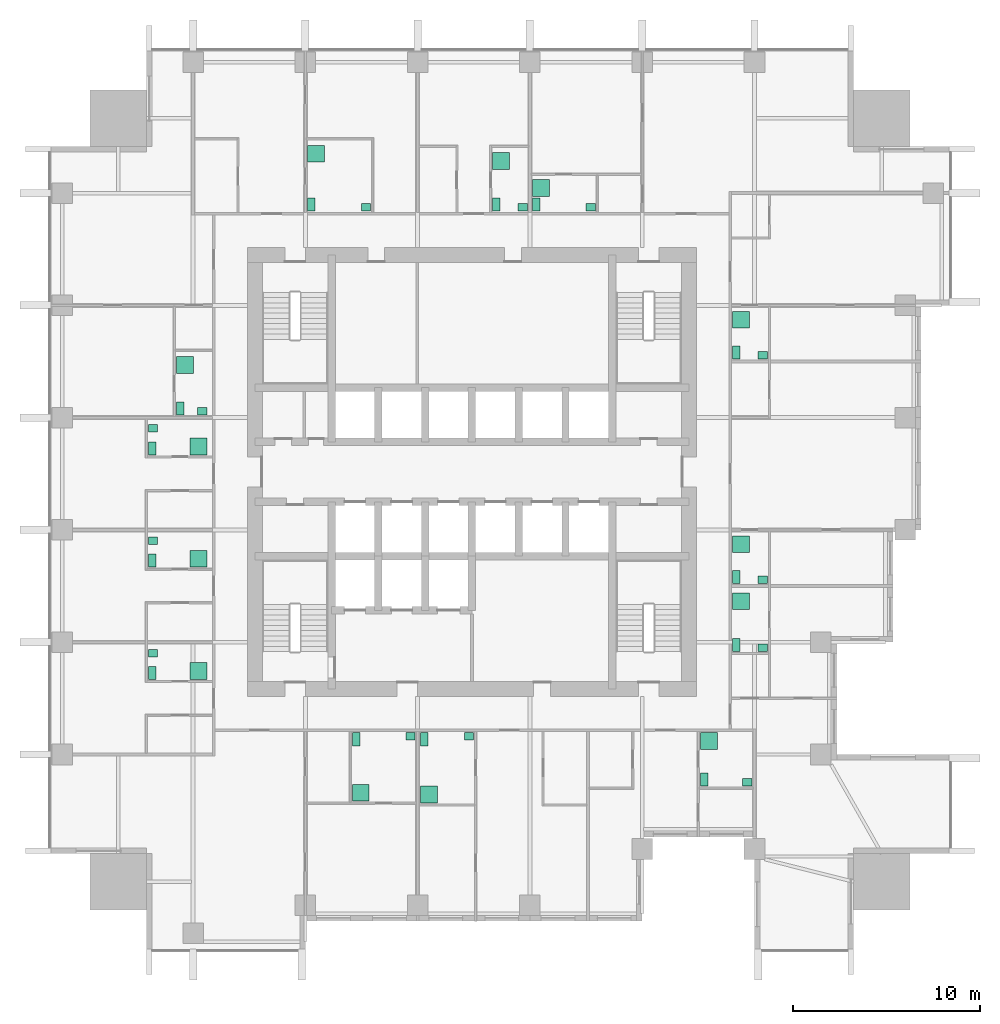
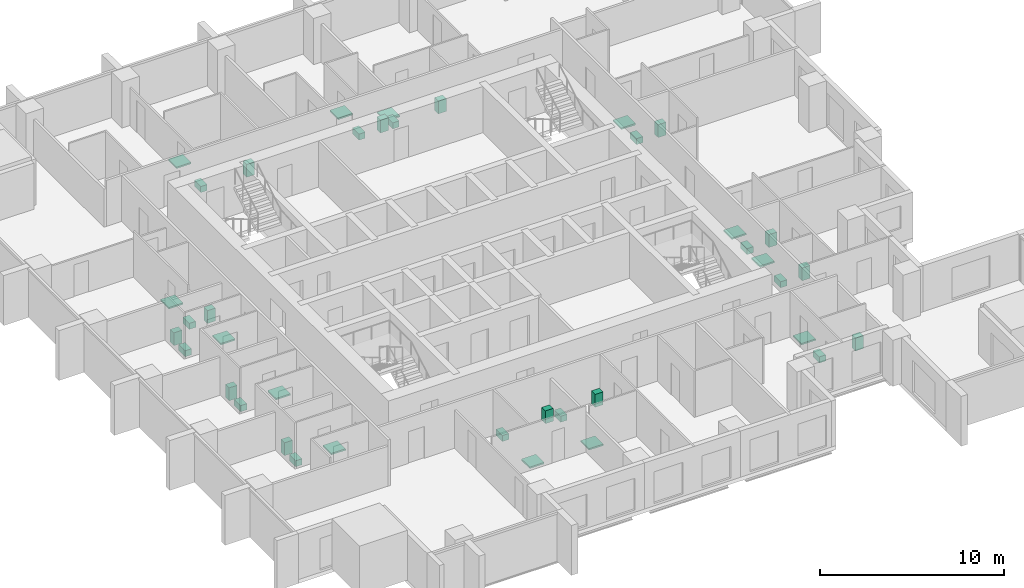
# One storey, part 10 of 10: 39 sanitary terminals.
"""IFC4 building model written with IfcOpenShell, lengths in metres."""

from ifc_helpers import new_model, si_unit, direction, frame, origin, origin_2d, place, context, subcontext, project, spatial, rectangle, extrude, element, save


model = new_model("IFC4")

# Units and contexts
model_context = context("Model", 3, precision=1e-05, world=origin(), true_north=direction((0.0, 1.0)))
body_context = subcontext(model_context, "Body", "Model", "MODEL_VIEW")
ifc_project = project(units=[si_unit("LENGTHUNIT", "METRE"), si_unit("AREAUNIT", "SQUARE_METRE"), si_unit("VOLUMEUNIT", "CUBIC_METRE"), si_unit("PLANEANGLEUNIT", "RADIAN"), si_unit("MASSUNIT", "GRAM", prefix="KILO")], contexts=[model_context])

# Site, building, storey
site_placement = place(None, origin())
site = spatial("IfcSite", under=ifc_project, at=site_placement, CompositionType="ELEMENT")
building_placement = place(site_placement, origin())
building = spatial("IfcBuilding", under=site, at=building_placement, Name="Amberfall Residences", CompositionType="ELEMENT")
storey_placement = place(building_placement, frame((0.0, 0.0, 101.800048828125)))
storey = spatial("IfcBuildingStorey", under=building, at=storey_placement, Name="L27", CompositionType="ELEMENT", Elevation=101.800048828125)

# Sanitary terminals
sanitary_terminal_1_placement = place(storey_placement, frame((68.31005859375, 31.215087890625, 0.0), z_axis=(0.0, 0.0, 1.0), x_axis=(1.0, 0.0, 0.0)))
element("IfcSanitaryTerminal", 1, at=sanitary_terminal_1_placement, inside=storey, Name="Water closet 2701", PredefinedType="TOILETPAN", context=body_context, shape_type="SweptSolid", body=[
    extrude(rectangle(XDim=0.39990234375, YDim=0.699951171875, at=origin_2d()), origin(), (0.0, 0.0, 1.0), 0.39990234375),
])
sanitary_terminal_2_placement = place(storey_placement, frame((71.215087890625, 31.364990234375, 0.0), z_axis=(0.0, 0.0, 1.0), x_axis=(1.0, 0.0, 0.0)))
element("IfcSanitaryTerminal", 2, at=sanitary_terminal_2_placement, inside=storey, Name="Basin 2701", PredefinedType="WASHHANDBASIN", context=body_context, shape_type="SweptSolid", body=[
    extrude(rectangle(XDim=0.5, YDim=0.39990234375, at=origin_2d()), origin(), (0.0, 0.0, 1.0), 0.85009765625),
])
sanitary_terminal_3_placement = place(storey_placement, frame((68.56005859375, 28.360107421875, 0.0), z_axis=(0.0, 0.0, 1.0), x_axis=(1.0, 0.0, 0.0)))
element("IfcSanitaryTerminal", 3, at=sanitary_terminal_3_placement, inside=storey, Name="Shower tray 2701", PredefinedType="SHOWER", context=body_context, shape_type="SweptSolid", body=[
    extrude(rectangle(XDim=0.89990234375, YDim=0.89990234375, at=origin_2d()), origin(), (0.0, 0.0, 1.0), 0.10009765625),
])
sanitary_terminal_4_placement = place(storey_placement, frame((71.9599609375, 31.215087890625, 0.0), z_axis=(0.0, 0.0, 1.0), x_axis=(1.0, 0.0, 0.0)))
element("IfcSanitaryTerminal", 4, at=sanitary_terminal_4_placement, inside=storey, Name="Water closet 2702", PredefinedType="TOILETPAN", context=body_context, shape_type="SweptSolid", body=[
    extrude(rectangle(XDim=0.39990234375, YDim=0.699951171875, at=origin_2d()), origin(), (0.0, 0.0, 1.0), 0.39990234375),
])
sanitary_terminal_5_placement = place(storey_placement, frame((74.340087890625, 31.364990234375, 0.0), z_axis=(0.0, 0.0, 1.0), x_axis=(1.0, 0.0, 0.0)))
element("IfcSanitaryTerminal", 5, at=sanitary_terminal_5_placement, inside=storey, Name="Basin 2702", PredefinedType="WASHHANDBASIN", context=body_context, shape_type="SweptSolid", body=[
    extrude(rectangle(XDim=0.5, YDim=0.39990234375, at=origin_2d()), origin(), (0.0, 0.0, 1.0), 0.85009765625),
])
sanitary_terminal_6_placement = place(storey_placement, frame((72.2099609375, 28.260009765625, 0.0), z_axis=(0.0, 0.0, 1.0), x_axis=(1.0, 0.0, 0.0)))
element("IfcSanitaryTerminal", 6, at=sanitary_terminal_6_placement, inside=storey, Name="Shower tray 2702", PredefinedType="SHOWER", context=body_context, shape_type="SweptSolid", body=[
    extrude(rectangle(XDim=0.89990234375, YDim=0.89990234375, at=origin_2d()), origin(), (0.0, 0.0, 1.0), 0.10009765625),
])
sanitary_terminal_7_placement = place(storey_placement, frame((86.909912109375, 29.06005859375, 0.0), z_axis=(0.0, 0.0, 1.0), x_axis=(1.0, 0.0, 0.0)))
element("IfcSanitaryTerminal", 7, at=sanitary_terminal_7_placement, inside=storey, Name="Water closet 2703", PredefinedType="TOILETPAN", context=body_context, shape_type="SweptSolid", body=[
    extrude(rectangle(XDim=0.39990234375, YDim=0.699951171875, at=origin_2d()), origin(), (0.0, 0.0, 1.0), 0.39990234375),
])
sanitary_terminal_8_placement = place(storey_placement, frame((89.215087890625, 28.909912109375, 0.0), z_axis=(0.0, 0.0, 1.0), x_axis=(1.0, 0.0, 0.0)))
element("IfcSanitaryTerminal", 8, at=sanitary_terminal_8_placement, inside=storey, Name="Basin 2703", PredefinedType="WASHHANDBASIN", context=body_context, shape_type="SweptSolid", body=[
    extrude(rectangle(XDim=0.5, YDim=0.39990234375, at=origin_2d()), origin(), (0.0, 0.0, 1.0), 0.85009765625),
])
sanitary_terminal_9_placement = place(storey_placement, frame((87.159912109375, 31.114990234375, 0.0), z_axis=(0.0, 0.0, 1.0), x_axis=(1.0, 0.0, 0.0)))
element("IfcSanitaryTerminal", 9, at=sanitary_terminal_9_placement, inside=storey, Name="Shower tray 2703", PredefinedType="SHOWER", context=body_context, shape_type="SweptSolid", body=[
    extrude(rectangle(XDim=0.89990234375, YDim=0.89990234375, at=origin_2d()), origin(), (0.0, 0.0, 1.0), 0.10009765625),
])
sanitary_terminal_10_placement = place(storey_placement, frame((88.635009765625, 36.260009765625, 0.0), z_axis=(0.0, 0.0, 1.0), x_axis=(1.0, 0.0, 0.0)))
element("IfcSanitaryTerminal", 10, at=sanitary_terminal_10_placement, inside=storey, Name="Water closet 2704", PredefinedType="TOILETPAN", context=body_context, shape_type="SweptSolid", body=[
    extrude(rectangle(XDim=0.39990234375, YDim=0.699951171875, at=origin_2d()), origin(), (0.0, 0.0, 1.0), 0.39990234375),
])
sanitary_terminal_11_placement = place(storey_placement, frame((90.0400390625, 36.110107421875, 0.0), z_axis=(0.0, 0.0, 1.0), x_axis=(1.0, 0.0, 0.0)))
element("IfcSanitaryTerminal", 11, at=sanitary_terminal_11_placement, inside=storey, Name="Basin 2704", PredefinedType="WASHHANDBASIN", context=body_context, shape_type="SweptSolid", body=[
    extrude(rectangle(XDim=0.5, YDim=0.39990234375, at=origin_2d()), origin(), (0.0, 0.0, 1.0), 0.85009765625),
])
sanitary_terminal_12_placement = place(storey_placement, frame((88.885009765625, 38.591796875, 0.0), z_axis=(0.0, 0.0, 1.0), x_axis=(1.0, 0.0, 0.0)))
element("IfcSanitaryTerminal", 12, at=sanitary_terminal_12_placement, inside=storey, Name="Shower tray 2704", PredefinedType="SHOWER", context=body_context, shape_type="SweptSolid", body=[
    extrude(rectangle(XDim=0.89990234375, YDim=0.89990234375, at=origin_2d()), origin(), (0.0, 0.0, 1.0), 0.10009765625),
])
sanitary_terminal_13_placement = place(storey_placement, frame((88.635009765625, 39.885009765625, 0.0), z_axis=(0.0, 0.0, 1.0), x_axis=(1.0, 0.0, 0.0)))
element("IfcSanitaryTerminal", 13, at=sanitary_terminal_13_placement, inside=storey, Name="Water closet 2705", PredefinedType="TOILETPAN", context=body_context, shape_type="SweptSolid", body=[
    extrude(rectangle(XDim=0.39990234375, YDim=0.699951171875, at=origin_2d()), origin(), (0.0, 0.0, 1.0), 0.39990234375),
])
sanitary_terminal_14_placement = place(storey_placement, frame((90.0400390625, 39.735107421875, 0.0), z_axis=(0.0, 0.0, 1.0), x_axis=(1.0, 0.0, 0.0)))
element("IfcSanitaryTerminal", 14, at=sanitary_terminal_14_placement, inside=storey, Name="Basin 2705", PredefinedType="WASHHANDBASIN", context=body_context, shape_type="SweptSolid", body=[
    extrude(rectangle(XDim=0.5, YDim=0.39990234375, at=origin_2d()), origin(), (0.0, 0.0, 1.0), 0.85009765625),
])
sanitary_terminal_15_placement = place(storey_placement, frame((88.885009765625, 41.6337890625, 0.0), z_axis=(0.0, 0.0, 1.0), x_axis=(1.0, 0.0, 0.0)))
element("IfcSanitaryTerminal", 15, at=sanitary_terminal_15_placement, inside=storey, Name="Shower tray 2705", PredefinedType="SHOWER", context=body_context, shape_type="SweptSolid", body=[
    extrude(rectangle(XDim=0.89990234375, YDim=0.89990234375, at=origin_2d()), origin(), (0.0, 0.0, 1.0), 0.10009765625),
])
sanitary_terminal_16_placement = place(storey_placement, frame((88.635009765625, 51.885009765625, 0.0), z_axis=(0.0, 0.0, 1.0), x_axis=(1.0, 0.0, 0.0)))
element("IfcSanitaryTerminal", 16, at=sanitary_terminal_16_placement, inside=storey, Name="Water closet 2706", PredefinedType="TOILETPAN", context=body_context, shape_type="SweptSolid", body=[
    extrude(rectangle(XDim=0.39990234375, YDim=0.699951171875, at=origin_2d()), origin(), (0.0, 0.0, 1.0), 0.39990234375),
])
sanitary_terminal_17_placement = place(storey_placement, frame((90.0400390625, 51.735107421875, 0.0), z_axis=(0.0, 0.0, 1.0), x_axis=(1.0, 0.0, 0.0)))
element("IfcSanitaryTerminal", 17, at=sanitary_terminal_17_placement, inside=storey, Name="Basin 2706", PredefinedType="WASHHANDBASIN", context=body_context, shape_type="SweptSolid", body=[
    extrude(rectangle(XDim=0.5, YDim=0.39990234375, at=origin_2d()), origin(), (0.0, 0.0, 1.0), 0.85009765625),
])
sanitary_terminal_18_placement = place(storey_placement, frame((88.885009765625, 53.6337890625, 0.0), z_axis=(0.0, 0.0, 1.0), x_axis=(1.0, 0.0, 0.0)))
element("IfcSanitaryTerminal", 18, at=sanitary_terminal_18_placement, inside=storey, Name="Shower tray 2706", PredefinedType="SHOWER", context=body_context, shape_type="SweptSolid", body=[
    extrude(rectangle(XDim=0.89990234375, YDim=0.89990234375, at=origin_2d()), origin(), (0.0, 0.0, 1.0), 0.10009765625),
])
sanitary_terminal_19_placement = place(storey_placement, frame((65.909912109375, 59.784912109375, 0.0), z_axis=(0.0, 0.0, 1.0), x_axis=(1.0, 0.0, 0.0)))
element("IfcSanitaryTerminal", 19, at=sanitary_terminal_19_placement, inside=storey, Name="Water closet 2707", PredefinedType="TOILETPAN", context=body_context, shape_type="SweptSolid", body=[
    extrude(rectangle(XDim=0.39990234375, YDim=0.699951171875, at=origin_2d()), origin(), (0.0, 0.0, 1.0), 0.39990234375),
])
sanitary_terminal_20_placement = place(storey_placement, frame((68.840087890625, 59.635009765625, 0.0), z_axis=(0.0, 0.0, 1.0), x_axis=(1.0, 0.0, 0.0)))
element("IfcSanitaryTerminal", 20, at=sanitary_terminal_20_placement, inside=storey, Name="Basin 2707", PredefinedType="WASHHANDBASIN", context=body_context, shape_type="SweptSolid", body=[
    extrude(rectangle(XDim=0.5, YDim=0.39990234375, at=origin_2d()), origin(), (0.0, 0.0, 1.0), 0.85009765625),
])
sanitary_terminal_21_placement = place(storey_placement, frame((66.159912109375, 62.502197265625, 0.0), z_axis=(0.0, 0.0, 1.0), x_axis=(1.0, 0.0, 0.0)))
element("IfcSanitaryTerminal", 21, at=sanitary_terminal_21_placement, inside=storey, Name="Shower tray 2707", PredefinedType="SHOWER", context=body_context, shape_type="SweptSolid", body=[
    extrude(rectangle(XDim=0.89990234375, YDim=0.89990234375, at=origin_2d()), origin(), (0.0, 0.0, 1.0), 0.10009765625),
])
sanitary_terminal_22_placement = place(storey_placement, frame((75.81005859375, 59.784912109375, 0.0), z_axis=(0.0, 0.0, 1.0), x_axis=(1.0, 0.0, 0.0)))
element("IfcSanitaryTerminal", 22, at=sanitary_terminal_22_placement, inside=storey, Name="Water closet 2708", PredefinedType="TOILETPAN", context=body_context, shape_type="SweptSolid", body=[
    extrude(rectangle(XDim=0.39990234375, YDim=0.699951171875, at=origin_2d()), origin(), (0.0, 0.0, 1.0), 0.39990234375),
])
sanitary_terminal_23_placement = place(storey_placement, frame((77.215087890625, 59.635009765625, 0.0), z_axis=(0.0, 0.0, 1.0), x_axis=(1.0, 0.0, 0.0)))
element("IfcSanitaryTerminal", 23, at=sanitary_terminal_23_placement, inside=storey, Name="Basin 2708", PredefinedType="WASHHANDBASIN", context=body_context, shape_type="SweptSolid", body=[
    extrude(rectangle(XDim=0.5, YDim=0.39990234375, at=origin_2d()), origin(), (0.0, 0.0, 1.0), 0.85009765625),
])
sanitary_terminal_24_placement = place(storey_placement, frame((76.06005859375, 62.11669921875, 0.0), z_axis=(0.0, 0.0, 1.0), x_axis=(1.0, 0.0, 0.0)))
element("IfcSanitaryTerminal", 24, at=sanitary_terminal_24_placement, inside=storey, Name="Shower tray 2708", PredefinedType="SHOWER", context=body_context, shape_type="SweptSolid", body=[
    extrude(rectangle(XDim=0.89990234375, YDim=0.89990234375, at=origin_2d()), origin(), (0.0, 0.0, 1.0), 0.10009765625),
])
sanitary_terminal_25_placement = place(storey_placement, frame((77.93505859375, 59.784912109375, 0.0), z_axis=(0.0, 0.0, 1.0), x_axis=(1.0, 0.0, 0.0)))
element("IfcSanitaryTerminal", 25, at=sanitary_terminal_25_placement, inside=storey, Name="Water closet 2709", PredefinedType="TOILETPAN", context=body_context, shape_type="SweptSolid", body=[
    extrude(rectangle(XDim=0.39990234375, YDim=0.699951171875, at=origin_2d()), origin(), (0.0, 0.0, 1.0), 0.39990234375),
])
sanitary_terminal_26_placement = place(storey_placement, frame((80.840087890625, 59.635009765625, 0.0), z_axis=(0.0, 0.0, 1.0), x_axis=(1.0, 0.0, 0.0)))
element("IfcSanitaryTerminal", 26, at=sanitary_terminal_26_placement, inside=storey, Name="Basin 2709", PredefinedType="WASHHANDBASIN", context=body_context, shape_type="SweptSolid", body=[
    extrude(rectangle(XDim=0.5, YDim=0.39990234375, at=origin_2d()), origin(), (0.0, 0.0, 1.0), 0.85009765625),
])
sanitary_terminal_27_placement = place(storey_placement, frame((78.18505859375, 60.680908203125, 0.0), z_axis=(0.0, 0.0, 1.0), x_axis=(1.0, 0.0, 0.0)))
element("IfcSanitaryTerminal", 27, at=sanitary_terminal_27_placement, inside=storey, Name="Shower tray 2709", PredefinedType="SHOWER", context=body_context, shape_type="SweptSolid", body=[
    extrude(rectangle(XDim=0.89990234375, YDim=0.89990234375, at=origin_2d()), origin(), (0.0, 0.0, 1.0), 0.10009765625),
])
sanitary_terminal_28_placement = place(storey_placement, frame((57.409912109375, 34.760009765625, 0.0), z_axis=(0.0, 0.0, 1.0), x_axis=(1.0, 0.0, 0.0)))
element("IfcSanitaryTerminal", 28, at=sanitary_terminal_28_placement, inside=storey, Name="Water closet 2710", PredefinedType="TOILETPAN", context=body_context, shape_type="SweptSolid", body=[
    extrude(rectangle(XDim=0.39990234375, YDim=0.699951171875, at=origin_2d()), origin(), (0.0, 0.0, 1.0), 0.39990234375),
])
sanitary_terminal_29_placement = place(storey_placement, frame((57.4599609375, 35.822509765625, 0.0), z_axis=(0.0, 0.0, 1.0), x_axis=(1.0, 0.0, 0.0)))
element("IfcSanitaryTerminal", 29, at=sanitary_terminal_29_placement, inside=storey, Name="Basin 2710", PredefinedType="WASHHANDBASIN", context=body_context, shape_type="SweptSolid", body=[
    extrude(rectangle(XDim=0.5, YDim=0.39990234375, at=origin_2d()), origin(), (0.0, 0.0, 1.0), 0.85009765625),
])
sanitary_terminal_30_placement = place(storey_placement, frame((59.891845703125, 34.860107421875, 0.0), z_axis=(0.0, 0.0, 1.0), x_axis=(1.0, 0.0, 0.0)))
element("IfcSanitaryTerminal", 30, at=sanitary_terminal_30_placement, inside=storey, Name="Shower tray 2710", PredefinedType="SHOWER", context=body_context, shape_type="SweptSolid", body=[
    extrude(rectangle(XDim=0.89990234375, YDim=0.89990234375, at=origin_2d()), origin(), (0.0, 0.0, 1.0), 0.10009765625),
])
sanitary_terminal_31_placement = place(storey_placement, frame((57.409912109375, 40.760009765625, 0.0), z_axis=(0.0, 0.0, 1.0), x_axis=(1.0, 0.0, 0.0)))
element("IfcSanitaryTerminal", 31, at=sanitary_terminal_31_placement, inside=storey, Name="Water closet 2711", PredefinedType="TOILETPAN", context=body_context, shape_type="SweptSolid", body=[
    extrude(rectangle(XDim=0.39990234375, YDim=0.699951171875, at=origin_2d()), origin(), (0.0, 0.0, 1.0), 0.39990234375),
])
sanitary_terminal_32_placement = place(storey_placement, frame((57.4599609375, 41.822509765625, 0.0), z_axis=(0.0, 0.0, 1.0), x_axis=(1.0, 0.0, 0.0)))
element("IfcSanitaryTerminal", 32, at=sanitary_terminal_32_placement, inside=storey, Name="Basin 2711", PredefinedType="WASHHANDBASIN", context=body_context, shape_type="SweptSolid", body=[
    extrude(rectangle(XDim=0.5, YDim=0.39990234375, at=origin_2d()), origin(), (0.0, 0.0, 1.0), 0.85009765625),
])
sanitary_terminal_33_placement = place(storey_placement, frame((59.891845703125, 40.860107421875, 0.0), z_axis=(0.0, 0.0, 1.0), x_axis=(1.0, 0.0, 0.0)))
element("IfcSanitaryTerminal", 33, at=sanitary_terminal_33_placement, inside=storey, Name="Shower tray 2711", PredefinedType="SHOWER", context=body_context, shape_type="SweptSolid", body=[
    extrude(rectangle(XDim=0.89990234375, YDim=0.89990234375, at=origin_2d()), origin(), (0.0, 0.0, 1.0), 0.10009765625),
])
sanitary_terminal_34_placement = place(storey_placement, frame((57.409912109375, 46.760009765625, 0.0), z_axis=(0.0, 0.0, 1.0), x_axis=(1.0, 0.0, 0.0)))
element("IfcSanitaryTerminal", 34, at=sanitary_terminal_34_placement, inside=storey, Name="Water closet 2712", PredefinedType="TOILETPAN", context=body_context, shape_type="SweptSolid", body=[
    extrude(rectangle(XDim=0.39990234375, YDim=0.699951171875, at=origin_2d()), origin(), (0.0, 0.0, 1.0), 0.39990234375),
])
sanitary_terminal_35_placement = place(storey_placement, frame((57.4599609375, 47.822509765625, 0.0), z_axis=(0.0, 0.0, 1.0), x_axis=(1.0, 0.0, 0.0)))
element("IfcSanitaryTerminal", 35, at=sanitary_terminal_35_placement, inside=storey, Name="Basin 2712", PredefinedType="WASHHANDBASIN", context=body_context, shape_type="SweptSolid", body=[
    extrude(rectangle(XDim=0.5, YDim=0.39990234375, at=origin_2d()), origin(), (0.0, 0.0, 1.0), 0.85009765625),
])
sanitary_terminal_36_placement = place(storey_placement, frame((59.891845703125, 46.860107421875, 0.0), z_axis=(0.0, 0.0, 1.0), x_axis=(1.0, 0.0, 0.0)))
element("IfcSanitaryTerminal", 36, at=sanitary_terminal_36_placement, inside=storey, Name="Shower tray 2712", PredefinedType="SHOWER", context=body_context, shape_type="SweptSolid", body=[
    extrude(rectangle(XDim=0.89990234375, YDim=0.89990234375, at=origin_2d()), origin(), (0.0, 0.0, 1.0), 0.10009765625),
])
sanitary_terminal_37_placement = place(storey_placement, frame((58.909912109375, 48.885009765625, 0.0), z_axis=(0.0, 0.0, 1.0), x_axis=(1.0, 0.0, 0.0)))
element("IfcSanitaryTerminal", 37, at=sanitary_terminal_37_placement, inside=storey, Name="Water closet 2713", PredefinedType="TOILETPAN", context=body_context, shape_type="SweptSolid", body=[
    extrude(rectangle(XDim=0.39990234375, YDim=0.699951171875, at=origin_2d()), origin(), (0.0, 0.0, 1.0), 0.39990234375),
])
sanitary_terminal_38_placement = place(storey_placement, frame((60.089111328125, 48.735107421875, 0.0), z_axis=(0.0, 0.0, 1.0), x_axis=(1.0, 0.0, 0.0)))
element("IfcSanitaryTerminal", 38, at=sanitary_terminal_38_placement, inside=storey, Name="Basin 2713", PredefinedType="WASHHANDBASIN", context=body_context, shape_type="SweptSolid", body=[
    extrude(rectangle(XDim=0.5, YDim=0.39990234375, at=origin_2d()), origin(), (0.0, 0.0, 1.0), 0.85009765625),
])
sanitary_terminal_39_placement = place(storey_placement, frame((59.159912109375, 51.216796875, 0.0), z_axis=(0.0, 0.0, 1.0), x_axis=(1.0, 0.0, 0.0)))
element("IfcSanitaryTerminal", 39, at=sanitary_terminal_39_placement, inside=storey, Name="Shower tray 2713", PredefinedType="SHOWER", context=body_context, shape_type="SweptSolid", body=[
    extrude(rectangle(XDim=0.89990234375, YDim=0.89990234375, at=origin_2d()), origin(), (0.0, 0.0, 1.0), 0.10009765625),
])

save(model, "model.ifc")
